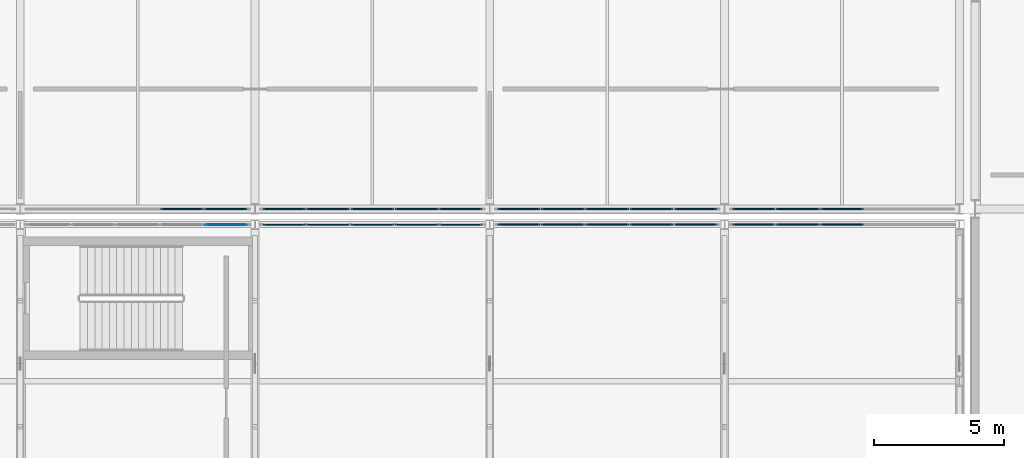
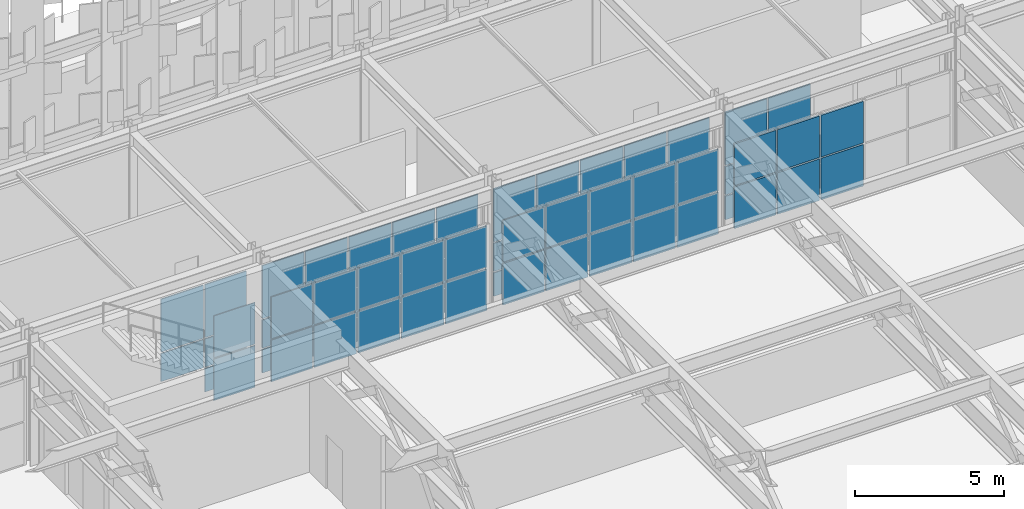
# One storey, part 134 of 210: 71 plates, 8 elements without a shape of their own.
"""IFC4 building model written with IfcOpenShell, lengths in metres."""

import ifcopenshell
import ifcopenshell.guid

model = None  # the IFC model being written
_history = None  # IfcOwnerHistory: only IFC2X3 demands one
_inside = {}  # id of a spatial element -> (the spatial element, [elements in it])
_under = {}  # id of a project, library or spatial element -> (it, [spatial elements below it])
_declared = {}  # id of a project -> (the project, [libraries it declares])
_typed = {}  # id of a type object -> (the type object, [elements of that type])
_made_of = {}  # id of a material, layer set ... -> (it, [elements and type objects made of it])


def new_model(schema):
    """Start an empty IFC model of exactly this schema.

    Asked for "IFC4X3", IfcOpenShell would pick the latest addendum, in which some entities
    have other attributes; the version numbers below select the first issue.
    IFC2X3 requires an IfcOwnerHistory on every rooted entity: one is made here for all.
    """
    global model, _history
    if schema == "IFC4X3":
        model = ifcopenshell.file(schema_version=(4, 3, 0, 0))
    else:
        model = ifcopenshell.file(schema=schema)
    _inside.clear()
    _under.clear()
    _declared.clear()
    _typed.clear()
    _made_of.clear()
    _history = None
    if model.schema == "IFC2X3":
        org = make("IfcOrganization", Name="unknown")
        user = make(
            "IfcPersonAndOrganization",
            ThePerson=make("IfcPerson", FamilyName="unknown"),
            TheOrganization=org,
        )
        app = make(
            "IfcApplication",
            ApplicationDeveloper=org,
            Version="unknown",
            ApplicationFullName="unknown",
            ApplicationIdentifier="unknown",
        )
        _history = make(
            "IfcOwnerHistory",
            OwningUser=user,
            OwningApplication=app,
            ChangeAction="ADDED",
            CreationDate=0,
        )
    return model


def make(cls, **values):
    """One entity of the class cls with the attributes given. An attribute that is None is left unset."""
    return model.create_entity(
        cls, **{name: value for name, value in values.items() if value is not None}
    )


def rooted(cls, **values):
    """An entity with a GlobalId (a new one), such as an element, a storey or a relation."""
    return make(cls, GlobalId=ifcopenshell.guid.new(), OwnerHistory=_history, **values)


def si_unit(unit_type, name, prefix=None):
    """IfcSIUnit, for example si_unit("LENGTHUNIT", "METRE", prefix="MILLI")."""
    return make("IfcSIUnit", UnitType=unit_type, Prefix=prefix, Name=name)


def assignment(units):
    """IfcUnitAssignment: the units of a project."""
    return None if units is None else make("IfcUnitAssignment", Units=units)


def point(xyz):
    """IfcCartesianPoint."""
    return None if xyz is None else make("IfcCartesianPoint", Coordinates=xyz)


def direction(xyz):
    """IfcDirection."""
    return None if xyz is None else make("IfcDirection", DirectionRatios=xyz)


def frame(location, z_axis=None, x_axis=None):
    """IfcAxis2Placement3D, a coordinate frame: its origin and axes. An axis left out is left unset."""
    return make(
        "IfcAxis2Placement3D",
        Location=point(location),
        Axis=direction(z_axis),
        RefDirection=direction(x_axis),
    )


def frame_2d(location, x_axis=None):
    """IfcAxis2Placement2D, a coordinate frame in the plane: its origin and x axis."""
    return make(
        "IfcAxis2Placement2D", Location=point(location), RefDirection=direction(x_axis)
    )


def origin():
    """The frame at (0, 0, 0) with its axes left unset."""
    return frame((0.0, 0.0, 0.0))


def origin_2d():
    """The frame at (0, 0) in the plane with its x axis left unset."""
    return frame_2d((0.0, 0.0))


def place(relative_to, where):
    """IfcLocalPlacement: puts the frame where relative to a parent placement (None: the world)."""
    return make(
        "IfcLocalPlacement", PlacementRelTo=relative_to, RelativePlacement=where
    )


def context(
    kind, dimensions, precision=None, world=None, true_north=None, identifier=None
):
    """IfcGeometricRepresentationContext, for example the 3D "Model" context."""
    return make(
        "IfcGeometricRepresentationContext",
        ContextIdentifier=identifier,
        ContextType=kind,
        CoordinateSpaceDimension=dimensions,
        Precision=precision,
        WorldCoordinateSystem=world,
        TrueNorth=true_north,
    )


def subcontext(parent, identifier, kind, view, scale=None):
    """IfcGeometricRepresentationSubContext, for example "Body" below "Model"."""
    return make(
        "IfcGeometricRepresentationSubContext",
        ContextIdentifier=identifier,
        ContextType=kind,
        ParentContext=parent,
        TargetScale=scale,
        TargetView=view,
    )


def project(units=None, contexts=None):
    """IfcProject with its units and contexts."""
    return rooted(
        "IfcProject",
        Name="project",
        RepresentationContexts=contexts,
        UnitsInContext=assignment(units),
    )


def spatial(cls, under=None, at=None, **own):
    """A site, building, storey or space (cls), placed at a placement, below another one or the project."""
    s = rooted(cls, ObjectPlacement=at, **own)
    if under is not None:
        _under.setdefault(under.id(), (under, []))[1].append(s)
    return s


def profile(cls, at=None, kind="AREA", **sizes):
    """A parametric profile (cls). Its sizes go by their IFC names, for example OverallWidth=200.0."""
    return make(cls, ProfileType=kind, Position=at, **sizes)


def rectangle(**sizes):
    """IfcRectangleProfileDef."""
    return profile("IfcRectangleProfileDef", **sizes)


def extrude(swept, where, along, depth):
    """IfcExtrudedAreaSolid: the profile swept, set in the frame where, extruded along a direction by depth."""
    return make(
        "IfcExtrudedAreaSolid",
        SweptArea=swept,
        Position=where,
        ExtrudedDirection=direction(along),
        Depth=depth,
    )


def shape(context_of_items, identifier, shape_type, items):
    """IfcShapeRepresentation: the items that make up one representation, for example the "Body"."""
    return make(
        "IfcShapeRepresentation",
        ContextOfItems=context_of_items,
        RepresentationIdentifier=identifier,
        RepresentationType=shape_type,
        Items=items,
    )


def material(Name=None, Category=None):
    """IfcMaterial."""
    return make("IfcMaterial", Name=Name, Category=Category)


def made_of(thing, what):
    """Note that an element or type object is made of a material, layer set ...; save() writes the relation."""
    if what is not None:
        _made_of.setdefault(what.id(), (what, []))[1].append(thing)
    return thing


def type_object(cls, material=None, **own):
    """A type object (cls), such as IfcWallType, which elements share."""
    return made_of(rooted(cls, **own), material)


def element(
    cls,
    number,
    at=None,
    inside=None,
    cuts=None,
    type_object=None,
    material=None,
    context=None,
    identifier="Body",
    shape_type=None,
    held_by="IfcProductDefinitionShape",
    body=None,
    shapes=None,
    **own,
):
    """One element of the class cls, such as IfcWall. Its Tag is "e" and its number.

    at: its placement. inside: the storey or other place that contains it. cuts: it is an
    opening in that element (IfcRelVoidsElement). A single representation is given by context,
    identifier, shape_type and body (its items); several are given by shapes. held_by: the class
    of the entity that holds the representations. save() writes the other relations.
    """
    e = rooted(cls, Tag="e%d" % number, ObjectPlacement=at, **own)
    if body is not None:
        shapes = [shape(context, identifier, shape_type, body)]
    if shapes is not None:
        e.Representation = make(held_by, Representations=shapes)
    if inside is not None:
        _inside.setdefault(inside.id(), (inside, []))[1].append(e)
    if cuts is not None:
        rooted(
            "IfcRelVoidsElement", RelatingBuildingElement=cuts, RelatedOpeningElement=e
        )
    if type_object is not None:
        _typed.setdefault(type_object.id(), (type_object, []))[1].append(e)
    return made_of(e, material)


def aggregate(whole, parts):
    """IfcRelAggregates: a whole, such as a stair, and the parts it consists of."""
    return rooted("IfcRelAggregates", RelatingObject=whole, RelatedObjects=parts)


def save(model, path):
    """Write the relations noted so far, then the file.

    IfcRelAggregates (storeys below a building ...), IfcRelContainedInSpatialStructure (elements
    in a storey), IfcRelDefinesByType, IfcRelAssociatesMaterial and IfcRelDeclares: one each for
    every whole, place, type object, material and project.
    """
    for whole, parts in _under.values():
        aggregate(whole, parts)
    for where, things in _inside.values():
        rooted(
            "IfcRelContainedInSpatialStructure",
            RelatedElements=things,
            RelatingStructure=where,
        )
    for kind, things in _typed.values():
        rooted("IfcRelDefinesByType", RelatedObjects=things, RelatingType=kind)
    for what, things in _made_of.values():
        rooted("IfcRelAssociatesMaterial", RelatedObjects=things, RelatingMaterial=what)
    for by, libraries in _declared.values():
        rooted("IfcRelDeclares", RelatingContext=by, RelatedDefinitions=libraries)
    model.write(path)


model = new_model("IFC4")

# Units and contexts
model_context = context("Model", 3, precision=1e-05, world=origin(), true_north=direction((0.0, 1.0)))
body_context = subcontext(model_context, "Body", "Model", "MODEL_VIEW")
ifc_project = project(units=[si_unit("LENGTHUNIT", "METRE"), si_unit("AREAUNIT", "SQUARE_METRE"), si_unit("VOLUMEUNIT", "CUBIC_METRE"), si_unit("PLANEANGLEUNIT", "RADIAN"), si_unit("MASSUNIT", "GRAM", prefix="KILO")], contexts=[model_context])

# Site, building, storey
site_placement = place(None, origin())
site = spatial("IfcSite", under=ifc_project, at=site_placement, CompositionType="ELEMENT")
building_placement = place(site_placement, origin())
building = spatial("IfcBuilding", under=site, at=building_placement, Name="Kaldris Quays Convention Centre", CompositionType="ELEMENT")
storey_placement = place(building_placement, frame((0.0, 0.0, 6.0)))
storey = spatial("IfcBuildingStorey", under=building, at=storey_placement, Name="L01", CompositionType="ELEMENT", Elevation=6.0)

# Curtain wall, plates
ifc_material_1 = material(Name="Anodized aluminium AW-6060 and triple glazing", Category="aluminium")
curtain_wall_type_1 = type_object("IfcCurtainWallType", Name="UNITISED CURTAIN WALL CW05", PredefinedType="NOTDEFINED", material=ifc_material_1)
curtain_wall_1_placement = place(storey_placement, origin())
curtain_wall_1 = element("IfcCurtainWall", 1, at=curtain_wall_1_placement, inside=storey, type_object=curtain_wall_type_1, Name="L01 Unitised Curtain Wall CW05 66", PredefinedType="NOTDEFINED")
ifc_material_2 = material(Name="Triple low-E insulated glazing", Category="glass")
plate_type_1 = type_object("IfcPlateType", Name="CURTAIN GLAZING PANEL CWP2", PredefinedType="CURTAIN_PANEL", material=ifc_material_2)
plate_1_placement = place(storey_placement, frame((54.885009765625, 46.0, 0.06005859375), z_axis=(0.0, 0.0, 1.0), x_axis=(1.0, 0.0, 0.0)))
plate_1 = element("IfcPlate", 2, at=plate_1_placement, type_object=plate_type_1, Name="CW05 panel 5.1", PredefinedType="CURTAIN_PANEL", context=body_context, shape_type="SweptSolid", body=[
    extrude(rectangle(XDim=1.610107421875, YDim=0.033935546875, at=origin_2d()), origin(), (0.0, 0.0, 1.0), 1.7099609375),
])
plate_2_placement = place(storey_placement, frame((54.885009765625, 46.0, 1.830078125), z_axis=(0.0, 0.0, 1.0), x_axis=(1.0, 0.0, 0.0)))
plate_2 = element("IfcPlate", 3, at=plate_2_placement, type_object=plate_type_1, Name="CW05 panel 5.2", PredefinedType="CURTAIN_PANEL", context=body_context, shape_type="SweptSolid", body=[
    extrude(rectangle(XDim=1.610107421875, YDim=0.033935546875, at=origin_2d()), origin(), (0.0, 0.0, 1.0), 1.7099609375),
])
aggregate(curtain_wall_1, [plate_1, plate_2])

curtain_wall_2_placement = place(storey_placement, origin())
curtain_wall_2 = element("IfcCurtainWall", 4, at=curtain_wall_2_placement, inside=storey, type_object=curtain_wall_type_1, Name="L01 Unitised Curtain Wall CW05 68", PredefinedType="NOTDEFINED")
plate_type_2 = type_object("IfcPlateType", Name="CURTAIN GLAZING PANEL CWP4", PredefinedType="CURTAIN_PANEL", material=ifc_material_2)
plate_3_placement = place(storey_placement, frame((57.114990234375, 46.0, 0.06005859375), z_axis=(0.0, 0.0, 1.0), x_axis=(1.0, 0.0, 0.0)))
plate_3 = element("IfcPlate", 5, at=plate_3_placement, type_object=plate_type_2, Name="CW05 panel 1.1", PredefinedType="CURTAIN_PANEL", context=body_context, shape_type="SweptSolid", body=[
    extrude(rectangle(XDim=1.610107421875, YDim=0.0439453125, at=origin_2d()), origin(), (0.0, 0.0, 1.0), 1.7099609375),
])
plate_4_placement = place(storey_placement, frame((57.114990234375, 46.0, 1.830078125), z_axis=(0.0, 0.0, 1.0), x_axis=(1.0, 0.0, 0.0)))
plate_4 = element("IfcPlate", 6, at=plate_4_placement, type_object=plate_type_2, Name="CW05 panel 1.2", PredefinedType="CURTAIN_PANEL", context=body_context, shape_type="SweptSolid", body=[
    extrude(rectangle(XDim=1.610107421875, YDim=0.0439453125, at=origin_2d()), origin(), (0.0, 0.0, 1.0), 1.7099609375),
])
plate_5_placement = place(storey_placement, frame((58.800048828125, 46.0, 0.06005859375), z_axis=(0.0, 0.0, 1.0), x_axis=(1.0, 0.0, 0.0)))
plate_5 = element("IfcPlate", 7, at=plate_5_placement, type_object=plate_type_2, Name="CW05 panel 2.1", PredefinedType="CURTAIN_PANEL", context=body_context, shape_type="SweptSolid", body=[
    extrude(rectangle(XDim=1.639892578125, YDim=0.0439453125, at=origin_2d()), origin(), (0.0, 0.0, 1.0), 1.7099609375),
])
plate_6_placement = place(storey_placement, frame((58.800048828125, 46.0, 1.830078125), z_axis=(0.0, 0.0, 1.0), x_axis=(1.0, 0.0, 0.0)))
plate_6 = element("IfcPlate", 8, at=plate_6_placement, type_object=plate_type_2, Name="CW05 panel 2.2", PredefinedType="CURTAIN_PANEL", context=body_context, shape_type="SweptSolid", body=[
    extrude(rectangle(XDim=1.639892578125, YDim=0.0439453125, at=origin_2d()), origin(), (0.0, 0.0, 1.0), 1.7099609375),
])
plate_7_placement = place(storey_placement, frame((60.5, 46.0, 0.06005859375), z_axis=(0.0, 0.0, 1.0), x_axis=(1.0, 0.0, 0.0)))
plate_7 = element("IfcPlate", 9, at=plate_7_placement, type_object=plate_type_2, Name="CW05 panel 3.1", PredefinedType="CURTAIN_PANEL", context=body_context, shape_type="SweptSolid", body=[
    extrude(rectangle(XDim=1.639892578125, YDim=0.0439453125, at=origin_2d()), origin(), (0.0, 0.0, 1.0), 1.7099609375),
])
plate_8_placement = place(storey_placement, frame((60.5, 46.0, 1.830078125), z_axis=(0.0, 0.0, 1.0), x_axis=(1.0, 0.0, 0.0)))
plate_8 = element("IfcPlate", 10, at=plate_8_placement, type_object=plate_type_2, Name="CW05 panel 3.2", PredefinedType="CURTAIN_PANEL", context=body_context, shape_type="SweptSolid", body=[
    extrude(rectangle(XDim=1.639892578125, YDim=0.0439453125, at=origin_2d()), origin(), (0.0, 0.0, 1.0), 1.7099609375),
])
plate_9_placement = place(storey_placement, frame((62.199951171875, 46.0, 0.06005859375), z_axis=(0.0, 0.0, 1.0), x_axis=(1.0, 0.0, 0.0)))
plate_9 = element("IfcPlate", 11, at=plate_9_placement, type_object=plate_type_2, Name="CW05 panel 4.1", PredefinedType="CURTAIN_PANEL", context=body_context, shape_type="SweptSolid", body=[
    extrude(rectangle(XDim=1.639892578125, YDim=0.0439453125, at=origin_2d()), origin(), (0.0, 0.0, 1.0), 1.7099609375),
])
plate_10_placement = place(storey_placement, frame((62.199951171875, 46.0, 1.830078125), z_axis=(0.0, 0.0, 1.0), x_axis=(1.0, 0.0, 0.0)))
plate_10 = element("IfcPlate", 12, at=plate_10_placement, type_object=plate_type_2, Name="CW05 panel 4.2", PredefinedType="CURTAIN_PANEL", context=body_context, shape_type="SweptSolid", body=[
    extrude(rectangle(XDim=1.639892578125, YDim=0.0439453125, at=origin_2d()), origin(), (0.0, 0.0, 1.0), 1.7099609375),
])
plate_11_placement = place(storey_placement, frame((63.885009765625, 46.0, 0.06005859375), z_axis=(0.0, 0.0, 1.0), x_axis=(1.0, 0.0, 0.0)))
plate_11 = element("IfcPlate", 13, at=plate_11_placement, type_object=plate_type_2, Name="CW05 panel 5.1", PredefinedType="CURTAIN_PANEL", context=body_context, shape_type="SweptSolid", body=[
    extrude(rectangle(XDim=1.610107421875, YDim=0.0439453125, at=origin_2d()), origin(), (0.0, 0.0, 1.0), 1.7099609375),
])
plate_12_placement = place(storey_placement, frame((63.885009765625, 46.0, 1.830078125), z_axis=(0.0, 0.0, 1.0), x_axis=(1.0, 0.0, 0.0)))
plate_12 = element("IfcPlate", 14, at=plate_12_placement, type_object=plate_type_2, Name="CW05 panel 5.2", PredefinedType="CURTAIN_PANEL", context=body_context, shape_type="SweptSolid", body=[
    extrude(rectangle(XDim=1.610107421875, YDim=0.0439453125, at=origin_2d()), origin(), (0.0, 0.0, 1.0), 1.7099609375),
])
aggregate(curtain_wall_2, [plate_3, plate_4, plate_5, plate_6, plate_7, plate_8, plate_9, plate_10, plate_11, plate_12])

curtain_wall_type_2 = type_object("IfcCurtainWallType", Name="UNITISED CURTAIN WALL CW02", PredefinedType="NOTDEFINED", material=ifc_material_1)
curtain_wall_3_placement = place(storey_placement, origin())
curtain_wall_3 = element("IfcCurtainWall", 15, at=curtain_wall_3_placement, inside=storey, type_object=curtain_wall_type_2, Name="L01 Unitised Curtain Wall CW02 92", PredefinedType="NOTDEFINED")
plate_13_placement = place(storey_placement, frame((53.199951171875, 46.60009765625, 1.080078125), z_axis=(0.0, 0.0, 1.0), x_axis=(1.0, 0.0, 0.0)))
plate_13 = element("IfcPlate", 16, at=plate_13_placement, type_object=plate_type_2, Name="CW02 panel 4.2", PredefinedType="CURTAIN_PANEL", context=body_context, shape_type="SweptSolid", body=[
    extrude(rectangle(XDim=1.639892578125, YDim=0.0439453125, at=origin_2d()), origin(), (0.0, 0.0, 1.0), 1.154052734375),
])
plate_14_placement = place(storey_placement, frame((53.199951171875, 46.60009765625, 2.2939453125), z_axis=(0.0, 0.0, 1.0), x_axis=(1.0, 0.0, 0.0)))
plate_14 = element("IfcPlate", 17, at=plate_14_placement, type_object=plate_type_2, Name="CW02 panel 4.3", PredefinedType="CURTAIN_PANEL", context=body_context, shape_type="SweptSolid", body=[
    extrude(rectangle(XDim=1.639892578125, YDim=0.0439453125, at=origin_2d()), origin(), (0.0, 0.0, 1.0), 2.174072265625),
])
plate_15_placement = place(storey_placement, frame((54.885009765625, 46.60009765625, 0.06005859375), z_axis=(0.0, 0.0, 1.0), x_axis=(1.0, 0.0, 0.0)))
plate_15 = element("IfcPlate", 18, at=plate_15_placement, type_object=plate_type_2, Name="CW02 panel 5.1", PredefinedType="CURTAIN_PANEL", context=body_context, shape_type="SweptSolid", body=[
    extrude(rectangle(XDim=1.610107421875, YDim=0.0439453125, at=origin_2d()), origin(), (0.0, 0.0, 1.0), 0.9599609375),
])
plate_16_placement = place(storey_placement, frame((54.885009765625, 46.60009765625, 1.080078125), z_axis=(0.0, 0.0, 1.0), x_axis=(1.0, 0.0, 0.0)))
plate_16 = element("IfcPlate", 19, at=plate_16_placement, type_object=plate_type_2, Name="CW02 panel 5.2", PredefinedType="CURTAIN_PANEL", context=body_context, shape_type="SweptSolid", body=[
    extrude(rectangle(XDim=1.610107421875, YDim=0.0439453125, at=origin_2d()), origin(), (0.0, 0.0, 1.0), 1.154052734375),
])
plate_17_placement = place(storey_placement, frame((54.885009765625, 46.60009765625, 2.2939453125), z_axis=(0.0, 0.0, 1.0), x_axis=(1.0, 0.0, 0.0)))
plate_17 = element("IfcPlate", 20, at=plate_17_placement, type_object=plate_type_2, Name="CW02 panel 5.3", PredefinedType="CURTAIN_PANEL", context=body_context, shape_type="SweptSolid", body=[
    extrude(rectangle(XDim=1.610107421875, YDim=0.0439453125, at=origin_2d()), origin(), (0.0, 0.0, 1.0), 2.174072265625),
])
aggregate(curtain_wall_3, [plate_13, plate_14, plate_15, plate_16, plate_17])

curtain_wall_4_placement = place(storey_placement, origin())
curtain_wall_4 = element("IfcCurtainWall", 21, at=curtain_wall_4_placement, inside=storey, type_object=curtain_wall_type_2, Name="L01 Unitised Curtain Wall CW02 93", PredefinedType="NOTDEFINED")
plate_type_3 = type_object("IfcPlateType", Name="CURTAIN GLAZING PANEL CWP5", PredefinedType="CURTAIN_PANEL", material=ifc_material_2)
plate_18_placement = place(storey_placement, frame((57.114990234375, 46.60009765625, 0.06005859375), z_axis=(0.0, 0.0, 1.0), x_axis=(1.0, 0.0, 0.0)))
plate_18 = element("IfcPlate", 22, at=plate_18_placement, type_object=plate_type_3, Name="CW02 panel 1.1", PredefinedType="CURTAIN_PANEL", context=body_context, shape_type="SweptSolid", body=[
    extrude(rectangle(XDim=1.610107421875, YDim=0.049072265625, at=origin_2d()), origin(), (0.0, 0.0, 1.0), 0.9599609375),
])
plate_19_placement = place(storey_placement, frame((57.114990234375, 46.60009765625, 1.080078125), z_axis=(0.0, 0.0, 1.0), x_axis=(1.0, 0.0, 0.0)))
plate_19 = element("IfcPlate", 23, at=plate_19_placement, type_object=plate_type_3, Name="CW02 panel 1.2", PredefinedType="CURTAIN_PANEL", context=body_context, shape_type="SweptSolid", body=[
    extrude(rectangle(XDim=1.610107421875, YDim=0.049072265625, at=origin_2d()), origin(), (0.0, 0.0, 1.0), 1.154052734375),
])
plate_20_placement = place(storey_placement, frame((57.114990234375, 46.60009765625, 2.2939453125), z_axis=(0.0, 0.0, 1.0), x_axis=(1.0, 0.0, 0.0)))
plate_20 = element("IfcPlate", 24, at=plate_20_placement, type_object=plate_type_3, Name="CW02 panel 1.3", PredefinedType="CURTAIN_PANEL", context=body_context, shape_type="SweptSolid", body=[
    extrude(rectangle(XDim=1.610107421875, YDim=0.049072265625, at=origin_2d()), origin(), (0.0, 0.0, 1.0), 2.174072265625),
])
plate_21_placement = place(storey_placement, frame((58.800048828125, 46.60009765625, 0.06005859375), z_axis=(0.0, 0.0, 1.0), x_axis=(1.0, 0.0, 0.0)))
plate_21 = element("IfcPlate", 25, at=plate_21_placement, type_object=plate_type_3, Name="CW02 panel 2.1", PredefinedType="CURTAIN_PANEL", context=body_context, shape_type="SweptSolid", body=[
    extrude(rectangle(XDim=1.639892578125, YDim=0.049072265625, at=origin_2d()), origin(), (0.0, 0.0, 1.0), 0.9599609375),
])
plate_22_placement = place(storey_placement, frame((58.800048828125, 46.60009765625, 1.080078125), z_axis=(0.0, 0.0, 1.0), x_axis=(1.0, 0.0, 0.0)))
plate_22 = element("IfcPlate", 26, at=plate_22_placement, type_object=plate_type_3, Name="CW02 panel 2.2", PredefinedType="CURTAIN_PANEL", context=body_context, shape_type="SweptSolid", body=[
    extrude(rectangle(XDim=1.639892578125, YDim=0.049072265625, at=origin_2d()), origin(), (0.0, 0.0, 1.0), 1.154052734375),
])
plate_23_placement = place(storey_placement, frame((58.800048828125, 46.60009765625, 2.2939453125), z_axis=(0.0, 0.0, 1.0), x_axis=(1.0, 0.0, 0.0)))
plate_23 = element("IfcPlate", 27, at=plate_23_placement, type_object=plate_type_3, Name="CW02 panel 2.3", PredefinedType="CURTAIN_PANEL", context=body_context, shape_type="SweptSolid", body=[
    extrude(rectangle(XDim=1.639892578125, YDim=0.049072265625, at=origin_2d()), origin(), (0.0, 0.0, 1.0), 2.174072265625),
])
plate_24_placement = place(storey_placement, frame((60.5, 46.60009765625, 0.06005859375), z_axis=(0.0, 0.0, 1.0), x_axis=(1.0, 0.0, 0.0)))
plate_24 = element("IfcPlate", 28, at=plate_24_placement, type_object=plate_type_3, Name="CW02 panel 3.1", PredefinedType="CURTAIN_PANEL", context=body_context, shape_type="SweptSolid", body=[
    extrude(rectangle(XDim=1.639892578125, YDim=0.049072265625, at=origin_2d()), origin(), (0.0, 0.0, 1.0), 0.9599609375),
])
plate_25_placement = place(storey_placement, frame((60.5, 46.60009765625, 1.080078125), z_axis=(0.0, 0.0, 1.0), x_axis=(1.0, 0.0, 0.0)))
plate_25 = element("IfcPlate", 29, at=plate_25_placement, type_object=plate_type_3, Name="CW02 panel 3.2", PredefinedType="CURTAIN_PANEL", context=body_context, shape_type="SweptSolid", body=[
    extrude(rectangle(XDim=1.639892578125, YDim=0.049072265625, at=origin_2d()), origin(), (0.0, 0.0, 1.0), 1.154052734375),
])
plate_26_placement = place(storey_placement, frame((60.5, 46.60009765625, 2.2939453125), z_axis=(0.0, 0.0, 1.0), x_axis=(1.0, 0.0, 0.0)))
plate_26 = element("IfcPlate", 30, at=plate_26_placement, type_object=plate_type_3, Name="CW02 panel 3.3", PredefinedType="CURTAIN_PANEL", context=body_context, shape_type="SweptSolid", body=[
    extrude(rectangle(XDim=1.639892578125, YDim=0.049072265625, at=origin_2d()), origin(), (0.0, 0.0, 1.0), 2.174072265625),
])
plate_27_placement = place(storey_placement, frame((62.199951171875, 46.60009765625, 0.06005859375), z_axis=(0.0, 0.0, 1.0), x_axis=(1.0, 0.0, 0.0)))
plate_27 = element("IfcPlate", 31, at=plate_27_placement, type_object=plate_type_3, Name="CW02 panel 4.1", PredefinedType="CURTAIN_PANEL", context=body_context, shape_type="SweptSolid", body=[
    extrude(rectangle(XDim=1.639892578125, YDim=0.049072265625, at=origin_2d()), origin(), (0.0, 0.0, 1.0), 0.9599609375),
])
plate_28_placement = place(storey_placement, frame((62.199951171875, 46.60009765625, 1.080078125), z_axis=(0.0, 0.0, 1.0), x_axis=(1.0, 0.0, 0.0)))
plate_28 = element("IfcPlate", 32, at=plate_28_placement, type_object=plate_type_3, Name="CW02 panel 4.2", PredefinedType="CURTAIN_PANEL", context=body_context, shape_type="SweptSolid", body=[
    extrude(rectangle(XDim=1.639892578125, YDim=0.049072265625, at=origin_2d()), origin(), (0.0, 0.0, 1.0), 1.154052734375),
])
plate_29_placement = place(storey_placement, frame((62.199951171875, 46.60009765625, 2.2939453125), z_axis=(0.0, 0.0, 1.0), x_axis=(1.0, 0.0, 0.0)))
plate_29 = element("IfcPlate", 33, at=plate_29_placement, type_object=plate_type_3, Name="CW02 panel 4.3", PredefinedType="CURTAIN_PANEL", context=body_context, shape_type="SweptSolid", body=[
    extrude(rectangle(XDim=1.639892578125, YDim=0.049072265625, at=origin_2d()), origin(), (0.0, 0.0, 1.0), 2.174072265625),
])
plate_30_placement = place(storey_placement, frame((63.885009765625, 46.60009765625, 0.06005859375), z_axis=(0.0, 0.0, 1.0), x_axis=(1.0, 0.0, 0.0)))
plate_30 = element("IfcPlate", 34, at=plate_30_placement, type_object=plate_type_3, Name="CW02 panel 5.1", PredefinedType="CURTAIN_PANEL", context=body_context, shape_type="SweptSolid", body=[
    extrude(rectangle(XDim=1.610107421875, YDim=0.049072265625, at=origin_2d()), origin(), (0.0, 0.0, 1.0), 0.9599609375),
])
plate_31_placement = place(storey_placement, frame((63.885009765625, 46.60009765625, 1.080078125), z_axis=(0.0, 0.0, 1.0), x_axis=(1.0, 0.0, 0.0)))
plate_31 = element("IfcPlate", 35, at=plate_31_placement, type_object=plate_type_3, Name="CW02 panel 5.2", PredefinedType="CURTAIN_PANEL", context=body_context, shape_type="SweptSolid", body=[
    extrude(rectangle(XDim=1.610107421875, YDim=0.049072265625, at=origin_2d()), origin(), (0.0, 0.0, 1.0), 1.154052734375),
])
plate_32_placement = place(storey_placement, frame((63.885009765625, 46.60009765625, 2.2939453125), z_axis=(0.0, 0.0, 1.0), x_axis=(1.0, 0.0, 0.0)))
plate_32 = element("IfcPlate", 36, at=plate_32_placement, type_object=plate_type_3, Name="CW02 panel 5.3", PredefinedType="CURTAIN_PANEL", context=body_context, shape_type="SweptSolid", body=[
    extrude(rectangle(XDim=1.610107421875, YDim=0.049072265625, at=origin_2d()), origin(), (0.0, 0.0, 1.0), 2.174072265625),
])
aggregate(curtain_wall_4, [plate_18, plate_19, plate_20, plate_21, plate_22, plate_23, plate_24, plate_25, plate_26, plate_27, plate_28, plate_29, plate_30, plate_31, plate_32])

curtain_wall_5_placement = place(storey_placement, origin())
curtain_wall_5 = element("IfcCurtainWall", 37, at=curtain_wall_5_placement, inside=storey, type_object=curtain_wall_type_1, Name="L01 Unitised Curtain Wall CW05 70", PredefinedType="NOTDEFINED")
plate_type_4 = type_object("IfcPlateType", Name="CURTAIN GLAZING PANEL CWP6", PredefinedType="CURTAIN_PANEL", material=ifc_material_2)
plate_33_placement = place(storey_placement, frame((66.114990234375, 46.0, 0.06005859375), z_axis=(0.0, 0.0, 1.0), x_axis=(1.0, 0.0, 0.0)))
plate_33 = element("IfcPlate", 38, at=plate_33_placement, type_object=plate_type_4, Name="CW05 panel 1.1", PredefinedType="CURTAIN_PANEL", context=body_context, shape_type="SweptSolid", body=[
    extrude(rectangle(XDim=1.610107421875, YDim=0.053955078125, at=origin_2d()), origin(), (0.0, 0.0, 1.0), 1.7099609375),
])
plate_34_placement = place(storey_placement, frame((66.114990234375, 46.0, 1.830078125), z_axis=(0.0, 0.0, 1.0), x_axis=(1.0, 0.0, 0.0)))
plate_34 = element("IfcPlate", 39, at=plate_34_placement, type_object=plate_type_4, Name="CW05 panel 1.2", PredefinedType="CURTAIN_PANEL", context=body_context, shape_type="SweptSolid", body=[
    extrude(rectangle(XDim=1.610107421875, YDim=0.053955078125, at=origin_2d()), origin(), (0.0, 0.0, 1.0), 1.7099609375),
])
plate_35_placement = place(storey_placement, frame((67.800048828125, 46.0, 0.06005859375), z_axis=(0.0, 0.0, 1.0), x_axis=(1.0, 0.0, 0.0)))
plate_35 = element("IfcPlate", 40, at=plate_35_placement, type_object=plate_type_4, Name="CW05 panel 2.1", PredefinedType="CURTAIN_PANEL", context=body_context, shape_type="SweptSolid", body=[
    extrude(rectangle(XDim=1.639892578125, YDim=0.053955078125, at=origin_2d()), origin(), (0.0, 0.0, 1.0), 1.7099609375),
])
plate_36_placement = place(storey_placement, frame((67.800048828125, 46.0, 1.830078125), z_axis=(0.0, 0.0, 1.0), x_axis=(1.0, 0.0, 0.0)))
plate_36 = element("IfcPlate", 41, at=plate_36_placement, type_object=plate_type_4, Name="CW05 panel 2.2", PredefinedType="CURTAIN_PANEL", context=body_context, shape_type="SweptSolid", body=[
    extrude(rectangle(XDim=1.639892578125, YDim=0.053955078125, at=origin_2d()), origin(), (0.0, 0.0, 1.0), 1.7099609375),
])
plate_37_placement = place(storey_placement, frame((69.5, 46.0, 0.06005859375), z_axis=(0.0, 0.0, 1.0), x_axis=(1.0, 0.0, 0.0)))
plate_37 = element("IfcPlate", 42, at=plate_37_placement, type_object=plate_type_4, Name="CW05 panel 3.1", PredefinedType="CURTAIN_PANEL", context=body_context, shape_type="SweptSolid", body=[
    extrude(rectangle(XDim=1.639892578125, YDim=0.053955078125, at=origin_2d()), origin(), (0.0, 0.0, 1.0), 1.7099609375),
])
plate_38_placement = place(storey_placement, frame((69.5, 46.0, 1.830078125), z_axis=(0.0, 0.0, 1.0), x_axis=(1.0, 0.0, 0.0)))
plate_38 = element("IfcPlate", 43, at=plate_38_placement, type_object=plate_type_4, Name="CW05 panel 3.2", PredefinedType="CURTAIN_PANEL", context=body_context, shape_type="SweptSolid", body=[
    extrude(rectangle(XDim=1.639892578125, YDim=0.053955078125, at=origin_2d()), origin(), (0.0, 0.0, 1.0), 1.7099609375),
])
plate_39_placement = place(storey_placement, frame((71.199951171875, 46.0, 0.06005859375), z_axis=(0.0, 0.0, 1.0), x_axis=(1.0, 0.0, 0.0)))
plate_39 = element("IfcPlate", 44, at=plate_39_placement, type_object=plate_type_4, Name="CW05 panel 4.1", PredefinedType="CURTAIN_PANEL", context=body_context, shape_type="SweptSolid", body=[
    extrude(rectangle(XDim=1.639892578125, YDim=0.053955078125, at=origin_2d()), origin(), (0.0, 0.0, 1.0), 1.7099609375),
])
plate_40_placement = place(storey_placement, frame((71.199951171875, 46.0, 1.830078125), z_axis=(0.0, 0.0, 1.0), x_axis=(1.0, 0.0, 0.0)))
plate_40 = element("IfcPlate", 45, at=plate_40_placement, type_object=plate_type_4, Name="CW05 panel 4.2", PredefinedType="CURTAIN_PANEL", context=body_context, shape_type="SweptSolid", body=[
    extrude(rectangle(XDim=1.639892578125, YDim=0.053955078125, at=origin_2d()), origin(), (0.0, 0.0, 1.0), 1.7099609375),
])
plate_41_placement = place(storey_placement, frame((72.885009765625, 46.0, 0.06005859375), z_axis=(0.0, 0.0, 1.0), x_axis=(1.0, 0.0, 0.0)))
plate_41 = element("IfcPlate", 46, at=plate_41_placement, type_object=plate_type_4, Name="CW05 panel 5.1", PredefinedType="CURTAIN_PANEL", context=body_context, shape_type="SweptSolid", body=[
    extrude(rectangle(XDim=1.610107421875, YDim=0.053955078125, at=origin_2d()), origin(), (0.0, 0.0, 1.0), 1.7099609375),
])
plate_42_placement = place(storey_placement, frame((72.885009765625, 46.0, 1.830078125), z_axis=(0.0, 0.0, 1.0), x_axis=(1.0, 0.0, 0.0)))
plate_42 = element("IfcPlate", 47, at=plate_42_placement, type_object=plate_type_4, Name="CW05 panel 5.2", PredefinedType="CURTAIN_PANEL", context=body_context, shape_type="SweptSolid", body=[
    extrude(rectangle(XDim=1.610107421875, YDim=0.053955078125, at=origin_2d()), origin(), (0.0, 0.0, 1.0), 1.7099609375),
])
aggregate(curtain_wall_5, [plate_33, plate_34, plate_35, plate_36, plate_37, plate_38, plate_39, plate_40, plate_41, plate_42])

curtain_wall_6_placement = place(storey_placement, origin())
curtain_wall_6 = element("IfcCurtainWall", 48, at=curtain_wall_6_placement, inside=storey, type_object=curtain_wall_type_2, Name="L01 Unitised Curtain Wall CW02 94", PredefinedType="NOTDEFINED")
plate_43_placement = place(storey_placement, frame((66.114990234375, 46.60009765625, 0.06005859375), z_axis=(0.0, 0.0, 1.0), x_axis=(1.0, 0.0, 0.0)))
plate_43 = element("IfcPlate", 49, at=plate_43_placement, type_object=plate_type_4, Name="CW02 panel 1.1", PredefinedType="CURTAIN_PANEL", context=body_context, shape_type="SweptSolid", body=[
    extrude(rectangle(XDim=1.610107421875, YDim=0.053955078125, at=origin_2d()), origin(), (0.0, 0.0, 1.0), 0.9599609375),
])
plate_44_placement = place(storey_placement, frame((66.114990234375, 46.60009765625, 1.080078125), z_axis=(0.0, 0.0, 1.0), x_axis=(1.0, 0.0, 0.0)))
plate_44 = element("IfcPlate", 50, at=plate_44_placement, type_object=plate_type_4, Name="CW02 panel 1.2", PredefinedType="CURTAIN_PANEL", context=body_context, shape_type="SweptSolid", body=[
    extrude(rectangle(XDim=1.610107421875, YDim=0.053955078125, at=origin_2d()), origin(), (0.0, 0.0, 1.0), 1.154052734375),
])
plate_45_placement = place(storey_placement, frame((66.114990234375, 46.60009765625, 2.2939453125), z_axis=(0.0, 0.0, 1.0), x_axis=(1.0, 0.0, 0.0)))
plate_45 = element("IfcPlate", 51, at=plate_45_placement, type_object=plate_type_4, Name="CW02 panel 1.3", PredefinedType="CURTAIN_PANEL", context=body_context, shape_type="SweptSolid", body=[
    extrude(rectangle(XDim=1.610107421875, YDim=0.053955078125, at=origin_2d()), origin(), (0.0, 0.0, 1.0), 2.174072265625),
])
plate_46_placement = place(storey_placement, frame((67.800048828125, 46.60009765625, 0.06005859375), z_axis=(0.0, 0.0, 1.0), x_axis=(1.0, 0.0, 0.0)))
plate_46 = element("IfcPlate", 52, at=plate_46_placement, type_object=plate_type_4, Name="CW02 panel 2.1", PredefinedType="CURTAIN_PANEL", context=body_context, shape_type="SweptSolid", body=[
    extrude(rectangle(XDim=1.639892578125, YDim=0.053955078125, at=origin_2d()), origin(), (0.0, 0.0, 1.0), 0.9599609375),
])
plate_47_placement = place(storey_placement, frame((67.800048828125, 46.60009765625, 1.080078125), z_axis=(0.0, 0.0, 1.0), x_axis=(1.0, 0.0, 0.0)))
plate_47 = element("IfcPlate", 53, at=plate_47_placement, type_object=plate_type_4, Name="CW02 panel 2.2", PredefinedType="CURTAIN_PANEL", context=body_context, shape_type="SweptSolid", body=[
    extrude(rectangle(XDim=1.639892578125, YDim=0.053955078125, at=origin_2d()), origin(), (0.0, 0.0, 1.0), 1.154052734375),
])
plate_48_placement = place(storey_placement, frame((67.800048828125, 46.60009765625, 2.2939453125), z_axis=(0.0, 0.0, 1.0), x_axis=(1.0, 0.0, 0.0)))
plate_48 = element("IfcPlate", 54, at=plate_48_placement, type_object=plate_type_4, Name="CW02 panel 2.3", PredefinedType="CURTAIN_PANEL", context=body_context, shape_type="SweptSolid", body=[
    extrude(rectangle(XDim=1.639892578125, YDim=0.053955078125, at=origin_2d()), origin(), (0.0, 0.0, 1.0), 2.174072265625),
])
plate_49_placement = place(storey_placement, frame((69.5, 46.60009765625, 0.06005859375), z_axis=(0.0, 0.0, 1.0), x_axis=(1.0, 0.0, 0.0)))
plate_49 = element("IfcPlate", 55, at=plate_49_placement, type_object=plate_type_4, Name="CW02 panel 3.1", PredefinedType="CURTAIN_PANEL", context=body_context, shape_type="SweptSolid", body=[
    extrude(rectangle(XDim=1.639892578125, YDim=0.053955078125, at=origin_2d()), origin(), (0.0, 0.0, 1.0), 0.9599609375),
])
plate_50_placement = place(storey_placement, frame((69.5, 46.60009765625, 1.080078125), z_axis=(0.0, 0.0, 1.0), x_axis=(1.0, 0.0, 0.0)))
plate_50 = element("IfcPlate", 56, at=plate_50_placement, type_object=plate_type_4, Name="CW02 panel 3.2", PredefinedType="CURTAIN_PANEL", context=body_context, shape_type="SweptSolid", body=[
    extrude(rectangle(XDim=1.639892578125, YDim=0.053955078125, at=origin_2d()), origin(), (0.0, 0.0, 1.0), 1.154052734375),
])
plate_51_placement = place(storey_placement, frame((69.5, 46.60009765625, 2.2939453125), z_axis=(0.0, 0.0, 1.0), x_axis=(1.0, 0.0, 0.0)))
plate_51 = element("IfcPlate", 57, at=plate_51_placement, type_object=plate_type_4, Name="CW02 panel 3.3", PredefinedType="CURTAIN_PANEL", context=body_context, shape_type="SweptSolid", body=[
    extrude(rectangle(XDim=1.639892578125, YDim=0.053955078125, at=origin_2d()), origin(), (0.0, 0.0, 1.0), 2.174072265625),
])
plate_52_placement = place(storey_placement, frame((71.199951171875, 46.60009765625, 0.06005859375), z_axis=(0.0, 0.0, 1.0), x_axis=(1.0, 0.0, 0.0)))
plate_52 = element("IfcPlate", 58, at=plate_52_placement, type_object=plate_type_4, Name="CW02 panel 4.1", PredefinedType="CURTAIN_PANEL", context=body_context, shape_type="SweptSolid", body=[
    extrude(rectangle(XDim=1.639892578125, YDim=0.053955078125, at=origin_2d()), origin(), (0.0, 0.0, 1.0), 0.9599609375),
])
plate_53_placement = place(storey_placement, frame((71.199951171875, 46.60009765625, 1.080078125), z_axis=(0.0, 0.0, 1.0), x_axis=(1.0, 0.0, 0.0)))
plate_53 = element("IfcPlate", 59, at=plate_53_placement, type_object=plate_type_4, Name="CW02 panel 4.2", PredefinedType="CURTAIN_PANEL", context=body_context, shape_type="SweptSolid", body=[
    extrude(rectangle(XDim=1.639892578125, YDim=0.053955078125, at=origin_2d()), origin(), (0.0, 0.0, 1.0), 1.154052734375),
])
plate_54_placement = place(storey_placement, frame((71.199951171875, 46.60009765625, 2.2939453125), z_axis=(0.0, 0.0, 1.0), x_axis=(1.0, 0.0, 0.0)))
plate_54 = element("IfcPlate", 60, at=plate_54_placement, type_object=plate_type_4, Name="CW02 panel 4.3", PredefinedType="CURTAIN_PANEL", context=body_context, shape_type="SweptSolid", body=[
    extrude(rectangle(XDim=1.639892578125, YDim=0.053955078125, at=origin_2d()), origin(), (0.0, 0.0, 1.0), 2.174072265625),
])
plate_55_placement = place(storey_placement, frame((72.885009765625, 46.60009765625, 0.06005859375), z_axis=(0.0, 0.0, 1.0), x_axis=(1.0, 0.0, 0.0)))
plate_55 = element("IfcPlate", 61, at=plate_55_placement, type_object=plate_type_4, Name="CW02 panel 5.1", PredefinedType="CURTAIN_PANEL", context=body_context, shape_type="SweptSolid", body=[
    extrude(rectangle(XDim=1.610107421875, YDim=0.053955078125, at=origin_2d()), origin(), (0.0, 0.0, 1.0), 0.9599609375),
])
plate_56_placement = place(storey_placement, frame((72.885009765625, 46.60009765625, 1.080078125), z_axis=(0.0, 0.0, 1.0), x_axis=(1.0, 0.0, 0.0)))
plate_56 = element("IfcPlate", 62, at=plate_56_placement, type_object=plate_type_4, Name="CW02 panel 5.2", PredefinedType="CURTAIN_PANEL", context=body_context, shape_type="SweptSolid", body=[
    extrude(rectangle(XDim=1.610107421875, YDim=0.053955078125, at=origin_2d()), origin(), (0.0, 0.0, 1.0), 1.154052734375),
])
plate_57_placement = place(storey_placement, frame((72.885009765625, 46.60009765625, 2.2939453125), z_axis=(0.0, 0.0, 1.0), x_axis=(1.0, 0.0, 0.0)))
plate_57 = element("IfcPlate", 63, at=plate_57_placement, type_object=plate_type_4, Name="CW02 panel 5.3", PredefinedType="CURTAIN_PANEL", context=body_context, shape_type="SweptSolid", body=[
    extrude(rectangle(XDim=1.610107421875, YDim=0.053955078125, at=origin_2d()), origin(), (0.0, 0.0, 1.0), 2.174072265625),
])
aggregate(curtain_wall_6, [plate_43, plate_44, plate_45, plate_46, plate_47, plate_48, plate_49, plate_50, plate_51, plate_52, plate_53, plate_54, plate_55, plate_56, plate_57])

curtain_wall_7_placement = place(storey_placement, origin())
curtain_wall_7 = element("IfcCurtainWall", 64, at=curtain_wall_7_placement, inside=storey, type_object=curtain_wall_type_2, Name="L01 Unitised Curtain Wall CW02 95", PredefinedType="NOTDEFINED")
plate_type_5 = type_object("IfcPlateType", Name="CURTAIN GLAZING PANEL CWP7", PredefinedType="CURTAIN_PANEL", material=ifc_material_2)
plate_58_placement = place(storey_placement, frame((75.114990234375, 46.60009765625, 0.06005859375), z_axis=(0.0, 0.0, 1.0), x_axis=(1.0, 0.0, 0.0)))
plate_58 = element("IfcPlate", 65, at=plate_58_placement, type_object=plate_type_5, Name="CW02 panel 1.1", PredefinedType="CURTAIN_PANEL", context=body_context, shape_type="SweptSolid", body=[
    extrude(rectangle(XDim=1.610107421875, YDim=0.05908203125, at=origin_2d()), origin(), (0.0, 0.0, 1.0), 0.9599609375),
])
plate_59_placement = place(storey_placement, frame((75.114990234375, 46.60009765625, 1.080078125), z_axis=(0.0, 0.0, 1.0), x_axis=(1.0, 0.0, 0.0)))
plate_59 = element("IfcPlate", 66, at=plate_59_placement, type_object=plate_type_5, Name="CW02 panel 1.2", PredefinedType="CURTAIN_PANEL", context=body_context, shape_type="SweptSolid", body=[
    extrude(rectangle(XDim=1.610107421875, YDim=0.05908203125, at=origin_2d()), origin(), (0.0, 0.0, 1.0), 1.154052734375),
])
plate_60_placement = place(storey_placement, frame((75.114990234375, 46.60009765625, 2.2939453125), z_axis=(0.0, 0.0, 1.0), x_axis=(1.0, 0.0, 0.0)))
plate_60 = element("IfcPlate", 67, at=plate_60_placement, type_object=plate_type_5, Name="CW02 panel 1.3", PredefinedType="CURTAIN_PANEL", context=body_context, shape_type="SweptSolid", body=[
    extrude(rectangle(XDim=1.610107421875, YDim=0.05908203125, at=origin_2d()), origin(), (0.0, 0.0, 1.0), 2.174072265625),
])
plate_61_placement = place(storey_placement, frame((76.800048828125, 46.60009765625, 0.06005859375), z_axis=(0.0, 0.0, 1.0), x_axis=(1.0, 0.0, 0.0)))
plate_61 = element("IfcPlate", 68, at=plate_61_placement, type_object=plate_type_5, Name="CW02 panel 2.1", PredefinedType="CURTAIN_PANEL", context=body_context, shape_type="SweptSolid", body=[
    extrude(rectangle(XDim=1.639892578125, YDim=0.05908203125, at=origin_2d()), origin(), (0.0, 0.0, 1.0), 0.9599609375),
])
plate_62_placement = place(storey_placement, frame((76.800048828125, 46.60009765625, 1.080078125), z_axis=(0.0, 0.0, 1.0), x_axis=(1.0, 0.0, 0.0)))
plate_62 = element("IfcPlate", 69, at=plate_62_placement, type_object=plate_type_5, Name="CW02 panel 2.2", PredefinedType="CURTAIN_PANEL", context=body_context, shape_type="SweptSolid", body=[
    extrude(rectangle(XDim=1.639892578125, YDim=0.05908203125, at=origin_2d()), origin(), (0.0, 0.0, 1.0), 1.154052734375),
])
plate_63_placement = place(storey_placement, frame((76.800048828125, 46.60009765625, 2.2939453125), z_axis=(0.0, 0.0, 1.0), x_axis=(1.0, 0.0, 0.0)))
plate_63 = element("IfcPlate", 70, at=plate_63_placement, type_object=plate_type_5, Name="CW02 panel 2.3", PredefinedType="CURTAIN_PANEL", context=body_context, shape_type="SweptSolid", body=[
    extrude(rectangle(XDim=1.639892578125, YDim=0.05908203125, at=origin_2d()), origin(), (0.0, 0.0, 1.0), 2.174072265625),
])
plate_64_placement = place(storey_placement, frame((78.5, 46.60009765625, 0.06005859375), z_axis=(0.0, 0.0, 1.0), x_axis=(1.0, 0.0, 0.0)))
plate_64 = element("IfcPlate", 71, at=plate_64_placement, type_object=plate_type_5, Name="CW02 panel 3.1", PredefinedType="CURTAIN_PANEL", context=body_context, shape_type="SweptSolid", body=[
    extrude(rectangle(XDim=1.639892578125, YDim=0.05908203125, at=origin_2d()), origin(), (0.0, 0.0, 1.0), 0.9599609375),
])
plate_65_placement = place(storey_placement, frame((78.5, 46.60009765625, 1.080078125), z_axis=(0.0, 0.0, 1.0), x_axis=(1.0, 0.0, 0.0)))
plate_65 = element("IfcPlate", 72, at=plate_65_placement, type_object=plate_type_5, Name="CW02 panel 3.2", PredefinedType="CURTAIN_PANEL", context=body_context, shape_type="SweptSolid", body=[
    extrude(rectangle(XDim=1.639892578125, YDim=0.05908203125, at=origin_2d()), origin(), (0.0, 0.0, 1.0), 1.154052734375),
])
aggregate(curtain_wall_7, [plate_58, plate_59, plate_60, plate_61, plate_62, plate_63, plate_64, plate_65])

curtain_wall_8_placement = place(storey_placement, origin())
curtain_wall_8 = element("IfcCurtainWall", 73, at=curtain_wall_8_placement, inside=storey, type_object=curtain_wall_type_1, Name="L01 Unitised Curtain Wall CW05 72", PredefinedType="NOTDEFINED")
plate_type_6 = type_object("IfcPlateType", Name="CURTAIN GLAZING PANEL CWP8", PredefinedType="CURTAIN_PANEL", material=ifc_material_2)
plate_66_placement = place(storey_placement, frame((75.114990234375, 46.0, 0.06005859375), z_axis=(0.0, 0.0, 1.0), x_axis=(1.0, 0.0, 0.0)))
plate_66 = element("IfcPlate", 74, at=plate_66_placement, type_object=plate_type_6, Name="CW05 panel 1.1", PredefinedType="CURTAIN_PANEL", context=body_context, shape_type="SweptSolid", body=[
    extrude(rectangle(XDim=1.610107421875, YDim=0.06396484375, at=origin_2d()), origin(), (0.0, 0.0, 1.0), 1.7099609375),
])
plate_67_placement = place(storey_placement, frame((75.114990234375, 46.0, 1.830078125), z_axis=(0.0, 0.0, 1.0), x_axis=(1.0, 0.0, 0.0)))
plate_67 = element("IfcPlate", 75, at=plate_67_placement, type_object=plate_type_6, Name="CW05 panel 1.2", PredefinedType="CURTAIN_PANEL", context=body_context, shape_type="SweptSolid", body=[
    extrude(rectangle(XDim=1.610107421875, YDim=0.06396484375, at=origin_2d()), origin(), (0.0, 0.0, 1.0), 1.7099609375),
])
plate_68_placement = place(storey_placement, frame((76.800048828125, 46.0, 0.06005859375), z_axis=(0.0, 0.0, 1.0), x_axis=(1.0, 0.0, 0.0)))
plate_68 = element("IfcPlate", 76, at=plate_68_placement, type_object=plate_type_6, Name="CW05 panel 2.1", PredefinedType="CURTAIN_PANEL", context=body_context, shape_type="SweptSolid", body=[
    extrude(rectangle(XDim=1.639892578125, YDim=0.06396484375, at=origin_2d()), origin(), (0.0, 0.0, 1.0), 1.7099609375),
])
plate_69_placement = place(storey_placement, frame((76.800048828125, 46.0, 1.830078125), z_axis=(0.0, 0.0, 1.0), x_axis=(1.0, 0.0, 0.0)))
plate_69 = element("IfcPlate", 77, at=plate_69_placement, type_object=plate_type_6, Name="CW05 panel 2.2", PredefinedType="CURTAIN_PANEL", context=body_context, shape_type="SweptSolid", body=[
    extrude(rectangle(XDim=1.639892578125, YDim=0.06396484375, at=origin_2d()), origin(), (0.0, 0.0, 1.0), 1.7099609375),
])
plate_70_placement = place(storey_placement, frame((78.5, 46.0, 0.06005859375), z_axis=(0.0, 0.0, 1.0), x_axis=(1.0, 0.0, 0.0)))
plate_70 = element("IfcPlate", 78, at=plate_70_placement, type_object=plate_type_6, Name="CW05 panel 3.1", PredefinedType="CURTAIN_PANEL", context=body_context, shape_type="SweptSolid", body=[
    extrude(rectangle(XDim=1.639892578125, YDim=0.06396484375, at=origin_2d()), origin(), (0.0, 0.0, 1.0), 1.7099609375),
])
plate_71_placement = place(storey_placement, frame((78.5, 46.0, 1.830078125), z_axis=(0.0, 0.0, 1.0), x_axis=(1.0, 0.0, 0.0)))
plate_71 = element("IfcPlate", 79, at=plate_71_placement, type_object=plate_type_6, Name="CW05 panel 3.2", PredefinedType="CURTAIN_PANEL", context=body_context, shape_type="SweptSolid", body=[
    extrude(rectangle(XDim=1.639892578125, YDim=0.06396484375, at=origin_2d()), origin(), (0.0, 0.0, 1.0), 1.7099609375),
])
aggregate(curtain_wall_8, [plate_66, plate_67, plate_68, plate_69, plate_70, plate_71])

save(model, "model.ifc")
